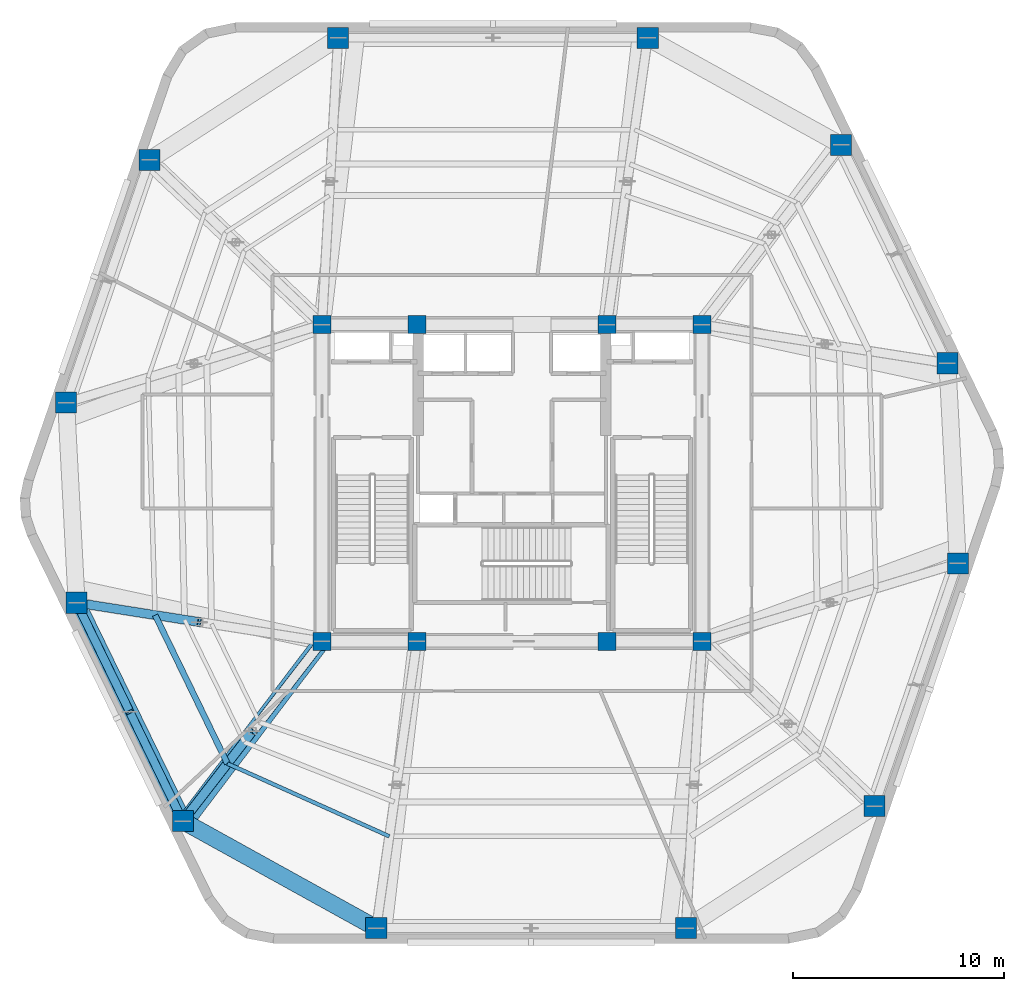
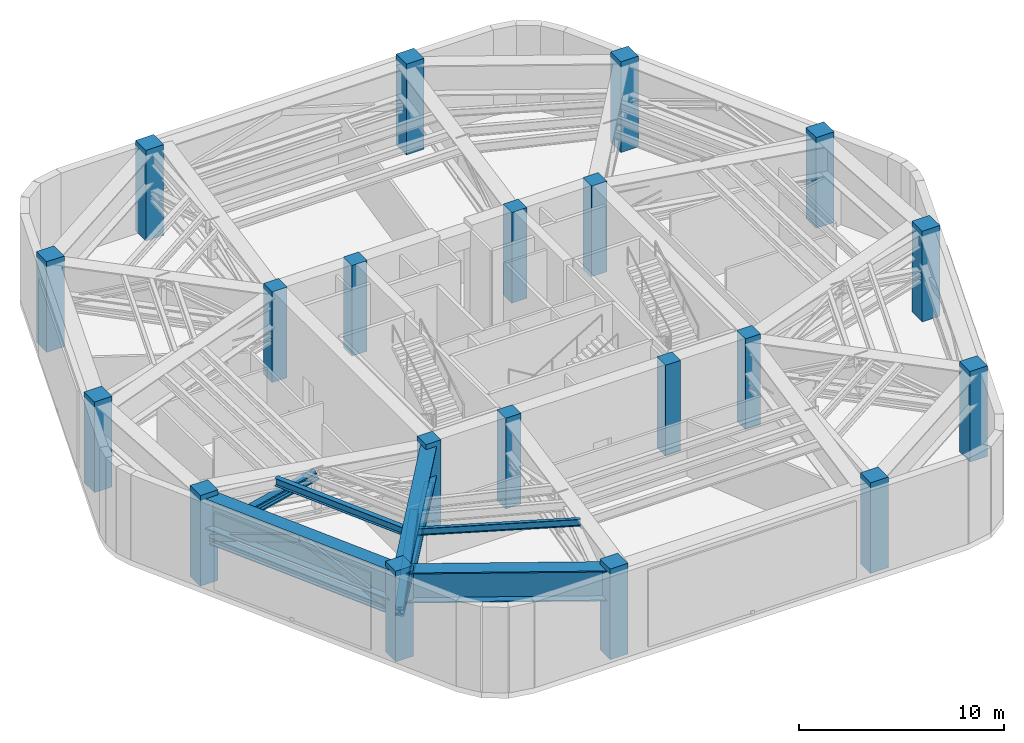
# One storey, part 1 of 10: 20 columns, 6 members, 5 beams.
"""IFC4 building model written with IfcOpenShell, lengths in metres."""

from ifc_helpers import new_model, si_unit, direction, frame, origin, origin_2d, place, context, subcontext, project, spatial, rectangle, hollow_rectangle, i_section, extrude, material, material_profile, profile_set, type_object, element, save


model = new_model("IFC4")

# Units and contexts
model_context = context("Model", 3, precision=1e-05, world=origin(), true_north=direction((0.0, 1.0)))
body_context = subcontext(model_context, "Body", "Model", "MODEL_VIEW")
ifc_project = project(units=[si_unit("LENGTHUNIT", "METRE"), si_unit("AREAUNIT", "SQUARE_METRE"), si_unit("VOLUMEUNIT", "CUBIC_METRE"), si_unit("PLANEANGLEUNIT", "RADIAN"), si_unit("MASSUNIT", "GRAM", prefix="KILO")], contexts=[model_context])

# Site, building, storey
site_placement = place(None, origin())
site = spatial("IfcSite", under=ifc_project, at=site_placement, CompositionType="ELEMENT")
building_placement = place(site_placement, origin())
building = spatial("IfcBuilding", under=site, at=building_placement, Name="Kilnhurst Terrace Hotel", CompositionType="ELEMENT")
storey_placement = place(building_placement, frame((0.0, 0.0, 255.89990234375)))
storey = spatial("IfcBuildingStorey", under=building, at=storey_placement, Name="L64", CompositionType="ELEMENT", Elevation=255.89990234375)

# Columns
ifc_material_1 = material(Name="Concrete C60/75", Category="concrete")
ifc_material_profile_1 = material_profile(ifc_material_1, rectangle(XDim=1.0, YDim=1.0, at=origin_2d()), Name="RC1000X1000")
ifc_profile_set_1 = profile_set([ifc_material_profile_1], Name="Concrete C60/75")
column_type_1 = type_object("IfcColumnType", Name="COL-RC-1000", PredefinedType="COLUMN", material=ifc_profile_set_1)
for number, where, z_axis, x_axis, name in (
    (1, (-6.429931640625, -21.080078125, 0.0), (0.0, 0.0, 1.0), (1.0, 0.0, 0.0), "L64 Structural Column PC-F11"),
    (2, (8.236083984375, -21.080078125, 0.0), (0.0, 0.0, 1.0), (1.0, 0.0, 0.0), "L64 Structural Column PC-F12"),
    (3, (17.166015625, -15.303955078125, 0.0), (0.0, 0.0, 1.0), (1.0, 0.0, 0.0), "L64 Structural Column PC-F21"),
    (4, (21.117919921875, -3.806884765625, 0.0), (0.0, 0.0, 1.0), (1.0, 0.0, 0.0), "L64 Structural Column PC-F22"),
    (5, (20.6220703125, 5.669921875, 0.0), (0.0, 0.0, 1.0), (1.0, 0.0, 0.0), "L64 Structural Column PC-F31"),
    (6, (15.5869140625, 16.012939453125, 0.0), (0.0, 0.0, 1.0), (1.0, 0.0, 0.0), "L64 Structural Column PC-F32"),
    (7, (6.429931640625, 21.080078125, 0.0), (0.0, 0.0, 1.0), (1.0, 0.0, 0.0), "L64 Structural Column PC-F41"),
    (8, (-8.236083984375, 21.080078125, 0.0), (0.0, 0.0, 1.0), (1.0, 0.0, 0.0), "L64 Structural Column PC-F42"),
    (9, (-17.166015625, 15.303955078125, 0.0), (0.0, 0.0, 1.0), (1.0, 0.0, 0.0), "L64 Structural Column PC-F51"),
    (10, (-21.117919921875, 3.806884765625, 0.0), (0.0, 0.0, 1.0), (1.0, 0.0, 0.0), "L64 Structural Column PC-F52"),
    (11, (-20.6220703125, -5.669921875, 0.0), (0.0, 0.0, 1.0), (1.0, 0.0, 0.0), "L64 Structural Column PC-F61"),
    (12, (-15.5869140625, -16.012939453125, 0.0), (0.0, 0.0, 1.0), (1.0, 0.0, 0.0), "L64 Structural Column PC-F62"),
):
    element("IfcColumn", number, at=place(storey_placement, frame(where, z_axis=z_axis, x_axis=x_axis)), inside=storey, type_object=column_type_1, Name=name, PredefinedType="COLUMN", context=body_context, shape_type="SweptSolid", body=[
        extrude(rectangle(XDim=1.0, YDim=1.0, at=origin_2d()), origin(), (0.0, 0.0, 1.0), 5.400146484375),
    ])
ifc_material_profile_2 = material_profile(ifc_material_1, rectangle(XDim=0.85009765625, YDim=0.85009765625, at=origin_2d()), Name="RC850X850")
ifc_profile_set_2 = profile_set([ifc_material_profile_2], Name="Concrete C60/75")
column_type_2 = type_object("IfcColumnType", Name="COL-RC-850", PredefinedType="COLUMN", material=ifc_profile_set_2)
for number, where, z_axis, x_axis, name in (
    (13, (-9.0, -7.5, 0.0), (0.0, 0.0, 1.0), (1.0, 0.0, 0.0), "L64 Structural Column CC-SW"),
    (14, (-4.5, -7.5, 0.0), (0.0, 0.0, 1.0), (1.0, 0.0, 0.0), "L64 Structural Column CC-SC1"),
    (15, (4.5, -7.5, 0.0), (0.0, 0.0, 1.0), (1.0, 0.0, 0.0), "L64 Structural Column CC-SC2"),
    (16, (9.0, -7.5, 0.0), (0.0, 0.0, 1.0), (1.0, 0.0, 0.0), "L64 Structural Column CC-SE"),
    (17, (9.0, 7.5, 0.0), (0.0, 0.0, 1.0), (1.0, 0.0, 0.0), "L64 Structural Column CC-NE"),
    (18, (4.5, 7.5, 0.0), (0.0, 0.0, 1.0), (1.0, 0.0, 0.0), "L64 Structural Column CC-NC2"),
    (19, (-4.5, 7.5, 0.0), (0.0, 0.0, 1.0), (1.0, 0.0, 0.0), "L64 Structural Column CC-NC1"),
    (20, (-9.0, 7.5, 0.0), (0.0, 0.0, 1.0), (1.0, 0.0, 0.0), "L64 Structural Column CC-NW"),
):
    element("IfcColumn", number, at=place(storey_placement, frame(where, z_axis=z_axis, x_axis=x_axis)), inside=storey, type_object=column_type_2, Name=name, PredefinedType="COLUMN", context=body_context, shape_type="SweptSolid", body=[
        extrude(rectangle(XDim=0.85009765625, YDim=0.85009765625, at=origin_2d()), origin(), (0.0, 0.0, 1.0), 5.400146484375),
    ])

# Beams
ifc_material_2 = material(Name="Steel ASTM A992 Grade 50", Category="steel")
ifc_material_profile_3 = material_profile(ifc_material_2, i_section(OverallWidth=0.180908203125, OverallDepth=0.417236328125, WebThickness=0.010986328125, FlangeThickness=0.018310546875, at=origin_2d()), Name="W16X57")
ifc_profile_set_3 = profile_set([ifc_material_profile_3], Name="Steel ASTM A992 Grade 50")
beam_type_1 = type_object("IfcBeamType", Name="JST-STL-W16X57", PredefinedType="JOIST", material=ifc_profile_set_3)
beam_1_placement = place(storey_placement, frame((-13.479248046875, -13.288818359375, 4.89111328125), z_axis=(0.912120852375, -0.409921395713, 0.0), x_axis=(0.409921395713, 0.912120852375, 0.0)))
element("IfcBeam", 21, at=beam_1_placement, inside=storey, type_object=beam_type_1, Name="L64 Secondary Floor Steel Joist OUT.12", PredefinedType="JOIST", context=body_context, shape_type="SweptSolid", body=[
    extrude(i_section(OverallWidth=0.180908203125, OverallDepth=0.417236328125, WebThickness=0.010986328125, FlangeThickness=0.018310546875, at=origin_2d()), origin(), (0.0, 0.0, 1.0), 8.405517578125),
])
ifc_material_profile_4 = material_profile(ifc_material_2, i_section(OverallWidth=0.279296875, OverallDepth=0.462890625, WebThickness=0.0107421875, FlangeThickness=0.017333984375, at=origin_2d()), Name="W18X76")
ifc_profile_set_4 = profile_set([ifc_material_profile_4], Name="Steel ASTM A992 Grade 50")
beam_type_2 = type_object("IfcBeamType", Name="JST-STL-W18X76", PredefinedType="JOIST", material=ifc_profile_set_4)
beam_2_placement = place(storey_placement, frame((-16.903076171875, -6.255615234375, 4.8681640625), z_axis=(0.437700347277, -0.899120907328, 0.0), x_axis=(0.899120907328, 0.437700347277, 0.0)))
element("IfcBeam", 22, at=beam_2_placement, inside=storey, type_object=beam_type_2, Name="L64 Secondary Floor Steel Joist OUT.11", PredefinedType="JOIST", context=body_context, shape_type="SweptSolid", body=[
    extrude(i_section(OverallWidth=0.279296875, OverallDepth=0.462890625, WebThickness=0.0107421875, FlangeThickness=0.017333984375, at=origin_2d()), origin(), (0.0, 0.0, 1.0), 7.822265625),
])

# Members
ifc_material_3 = material(Name="Steel ASTM A500 Grade C", Category="steel")
ifc_material_profile_5 = material_profile(ifc_material_3, hollow_rectangle(XDim=0.39990234375, YDim=0.39990234375, WallThickness=0.01611328125, at=origin_2d()), Name="HSS400X400X16")
ifc_profile_set_5 = profile_set([ifc_material_profile_5], Name="Steel ASTM A500 Grade C")
member_type_1 = type_object("IfcMemberType", Name="MEM-BLT-HSS-400", PredefinedType="BRACE", material=ifc_profile_set_5)
member_1_placement = place(storey_placement, frame((-20.6220703125, -5.669921875, 2.52001953125), z_axis=(0.408061436745, -0.838326798418, 0.361516310691), x_axis=(0.899139384857, 0.437662388833, 0.0)))
element("IfcMember", 23, at=member_1_placement, inside=storey, type_object=member_type_1, Name="L64 Belt Truss Left Diagonal 6", PredefinedType="BRACE", context=body_context, shape_type="SweptSolid", body=[
    extrude(hollow_rectangle(XDim=0.39990234375, YDim=0.39990234375, WallThickness=0.01611328125, at=origin_2d()), origin(), (0.0, 0.0, 1.0), 6.16845703125),
])
member_2_placement = place(storey_placement, frame((-15.5869140625, -16.012939453125, 2.52001953125), z_axis=(-0.408152755243, 0.838307927776, 0.361456977545), x_axis=(-0.899096962438, -0.437749531278, 0.0)))
element("IfcMember", 24, at=member_2_placement, inside=storey, type_object=member_type_1, Name="L64 Belt Truss Right Diagonal 6", PredefinedType="BRACE", context=body_context, shape_type="SweptSolid", body=[
    extrude(hollow_rectangle(XDim=0.39990234375, YDim=0.39990234375, WallThickness=0.01611328125, at=origin_2d()), origin(), (0.0, 0.0, 1.0), 6.16943359375),
])
ifc_material_profile_6 = material_profile(ifc_material_2, i_section(OverallWidth=0.40625, OverallDepth=0.416015625, WebThickness=0.02978515625, FlangeThickness=0.048095703125, at=origin_2d()), Name="W14X257")
ifc_profile_set_6 = profile_set([ifc_material_profile_6], Name="Steel ASTM A992 Grade 50")
member_type_2 = type_object("IfcMemberType", Name="MEM-CHD-W14X257", PredefinedType="CHORD", material=ifc_profile_set_6)
member_3_placement = place(storey_placement, frame((-20.6220703125, -5.669921875, 2.52001953125), z_axis=(0.437705964683, -0.899118172701, 0.0), x_axis=(0.899118172701, 0.437705964683, 0.0)))
element("IfcMember", 25, at=member_3_placement, inside=storey, type_object=member_type_2, Name="L64 Belt Truss Bottom Chord 6", PredefinedType="CHORD", context=body_context, shape_type="SweptSolid", body=[
    extrude(i_section(OverallWidth=0.40625, OverallDepth=0.416015625, WebThickness=0.02978515625, FlangeThickness=0.048095703125, at=origin_2d()), origin(), (0.0, 0.0, 1.0), 11.50341796875),
])
ifc_material_profile_7 = material_profile(ifc_material_2, i_section(OverallWidth=0.44189453125, OverallDepth=0.531494140625, WebThickness=0.06591796875, FlangeThickness=0.105712890625, at=origin_2d()), Name="W14X605")
ifc_profile_set_7 = profile_set([ifc_material_profile_7], Name="Steel ASTM A992 Grade 50")
member_type_3 = type_object("IfcMemberType", Name="MEM-CHD-W14X605", PredefinedType="CHORD", material=ifc_profile_set_7)
member_4_placement = place(storey_placement, frame((-9.0, -7.5, 2.52001953125), z_axis=(-0.611955412533, -0.790892263884, 0.0), x_axis=(0.790892263884, -0.611955412533, 0.0)))
element("IfcMember", 26, at=member_4_placement, inside=storey, type_object=member_type_3, Name="L64 Outrigger Bottom Chord 12", PredefinedType="CHORD", context=body_context, shape_type="SweptSolid", body=[
    extrude(i_section(OverallWidth=0.44189453125, OverallDepth=0.531494140625, WebThickness=0.06591796875, FlangeThickness=0.105712890625, at=origin_2d()), origin(), (0.0, 0.0, 1.0), 10.763671875),
])
ifc_material_profile_8 = material_profile(ifc_material_2, i_section(OverallWidth=0.424072265625, OverallDepth=0.47412109375, WebThickness=0.047607421875, FlangeThickness=0.0771484375, at=origin_2d()), Name="W14X426")
ifc_profile_set_8 = profile_set([ifc_material_profile_8], Name="Steel ASTM A992 Grade 50")
member_type_4 = type_object("IfcMemberType", Name="MEM-OTR-DIAG-426", PredefinedType="BRACE", material=ifc_profile_set_8)
member_5_placement = place(storey_placement, frame((-14.81103515625, -6.5849609375, 4.75), z_axis=(-0.923687932263, 0.145449221499, -0.354464564881), x_axis=(-0.155549111179, -0.987828160163, 0.0)))
element("IfcMember", 27, at=member_5_placement, inside=storey, type_object=member_type_4, Name="L64 Outrigger Outer Diagonal 11", PredefinedType="BRACE", context=body_context, shape_type="SweptSolid", body=[
    extrude(i_section(OverallWidth=0.424072265625, OverallDepth=0.47412109375, WebThickness=0.047607421875, FlangeThickness=0.0771484375, at=origin_2d()), origin(), (0.0, 0.0, 1.0), 6.291015625),
])
member_6_placement = place(storey_placement, frame((-12.29296875, -11.757080078125, 4.75), z_axis=(-0.56544582423, -0.730570086568, -0.382803302588), x_axis=(0.790805871388, -0.612067050067, 0.0)))
element("IfcMember", 28, at=member_6_placement, inside=storey, type_object=member_type_4, Name="L64 Outrigger Outer Diagonal 12", PredefinedType="BRACE", context=body_context, shape_type="SweptSolid", body=[
    extrude(i_section(OverallWidth=0.424072265625, OverallDepth=0.47412109375, WebThickness=0.047607421875, FlangeThickness=0.0771484375, at=origin_2d()), origin(), (0.0, 0.0, 1.0), 5.825439453125),
])

# Beams
ifc_material_4 = material(Name="Steel ASTM A572 Grade 50", Category="steel")
ifc_material_profile_9 = material_profile(ifc_material_4, i_section(OverallWidth=0.800048828125, OverallDepth=1.800048828125, WebThickness=0.0400390625, FlangeThickness=0.06494140625, at=origin_2d()), Name="PG1800X800")
ifc_profile_set_9 = profile_set([ifc_material_profile_9], Name="Steel ASTM A572 Grade 50")
beam_type_3 = type_object("IfcBeamType", Name="TG-STEP-1800", PredefinedType="USERDEFINED", material=ifc_profile_set_9)
beam_3_placement = place(storey_placement, frame((-20.6220703125, -5.669921875, 4.2001953125), z_axis=(0.437705964683, -0.899118172701, 0.0), x_axis=(0.899118172701, 0.437705964683, 0.0)))
element("IfcBeam", 29, at=beam_3_placement, inside=storey, type_object=beam_type_3, Name="L64 Zone Step Perimeter Transfer Girder 11", ObjectType="GIRDER", PredefinedType="USERDEFINED", context=body_context, shape_type="SweptSolid", body=[
    extrude(i_section(OverallWidth=0.800048828125, OverallDepth=1.800048828125, WebThickness=0.0400390625, FlangeThickness=0.06494140625, at=origin_2d()), origin(), (0.0, 0.0, 1.0), 11.50341796875),
])
beam_4_placement = place(storey_placement, frame((-15.5869140625, -16.012939453125, 4.2001953125), z_axis=(0.874970333121, -0.484176534085, 0.0), x_axis=(0.484176534085, 0.874970333121, 0.0)))
element("IfcBeam", 30, at=beam_4_placement, inside=storey, type_object=beam_type_3, Name="L64 Zone Step Perimeter Transfer Girder 12", ObjectType="GIRDER", PredefinedType="USERDEFINED", context=body_context, shape_type="SweptSolid", body=[
    extrude(i_section(OverallWidth=0.800048828125, OverallDepth=1.800048828125, WebThickness=0.0400390625, FlangeThickness=0.06494140625, at=origin_2d()), origin(), (0.0, 0.0, 1.0), 10.465576171875),
])
beam_5_placement = place(storey_placement, frame((-9.0, -7.5, 4.2001953125), z_axis=(-0.604008562492, -0.796977826816, 0.0), x_axis=(0.796977826816, -0.604008562492, 0.0)))
element("IfcBeam", 31, at=beam_5_placement, inside=storey, type_object=beam_type_3, Name="L64 Zone Step Radial Transfer Girder 12", ObjectType="GIRDER", PredefinedType="USERDEFINED", context=body_context, shape_type="SweptSolid", body=[
    extrude(i_section(OverallWidth=0.800048828125, OverallDepth=1.800048828125, WebThickness=0.0400390625, FlangeThickness=0.06494140625, at=origin_2d()), origin(), (0.0, 0.0, 1.0), 10.747802734375),
])

save(model, "model.ifc")
